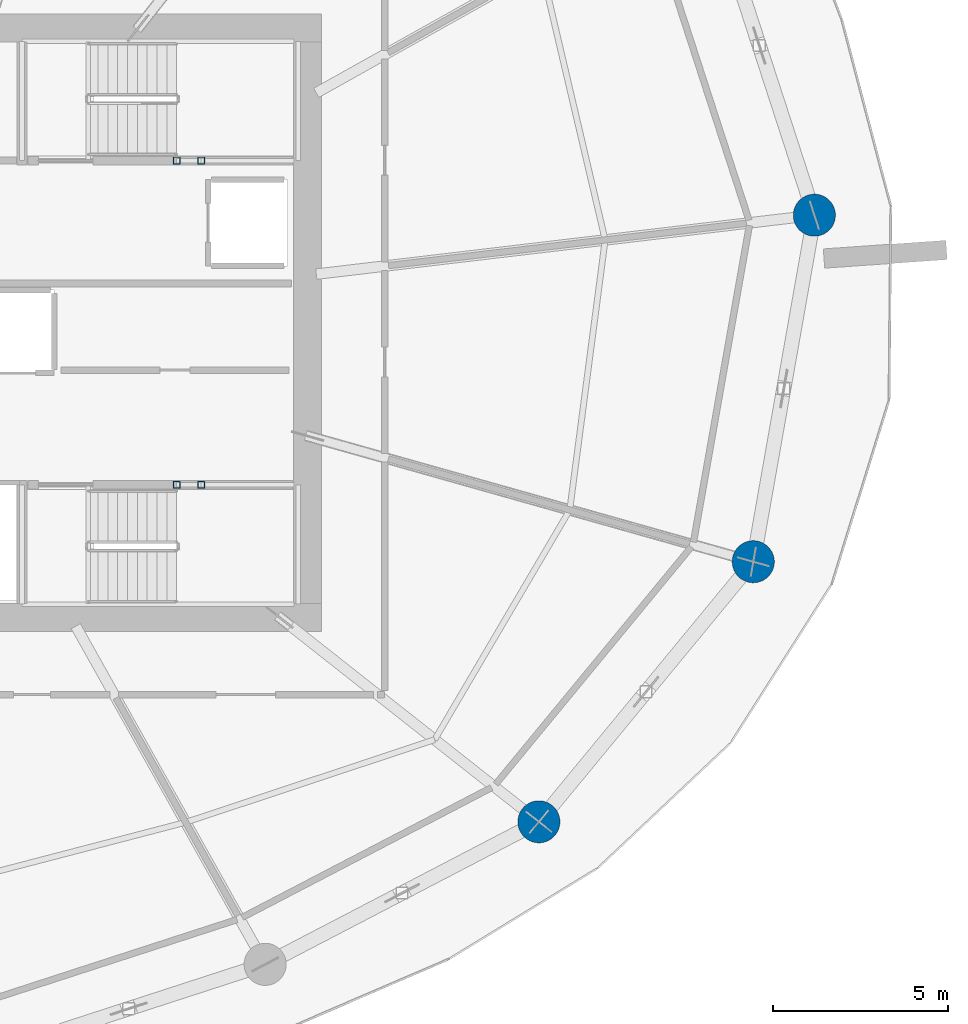
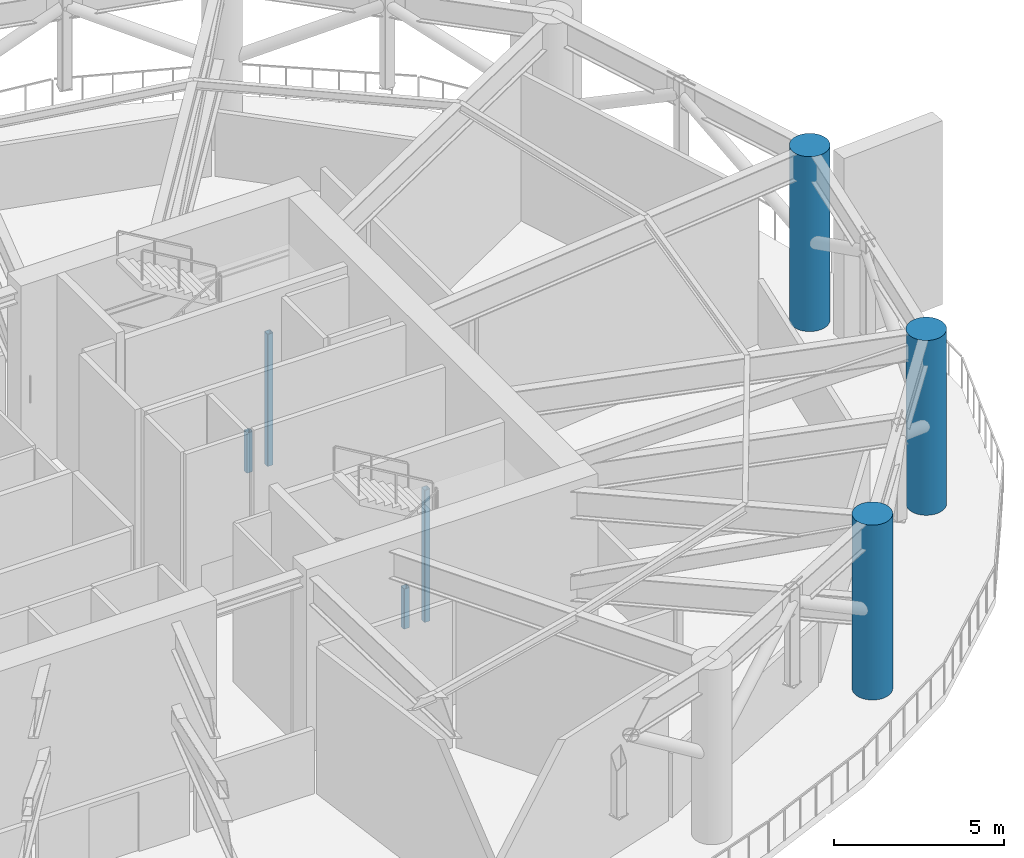
# One storey, part 3 of 19: 7 columns.
"""IFC4 building model written with IfcOpenShell, lengths in metres."""

from ifc_helpers import new_model, si_unit, direction, frame, origin, origin_2d, place, context, subcontext, project, spatial, hollow_rectangle, circle, extrude, material, material_profile, profile_set, type_object, element, save


model = new_model("IFC4")

# Units and contexts
model_context = context("Model", 3, precision=1e-05, world=origin(), true_north=direction((0.0, 1.0)))
body_context = subcontext(model_context, "Body", "Model", "MODEL_VIEW")
ifc_project = project(units=[si_unit("LENGTHUNIT", "METRE"), si_unit("AREAUNIT", "SQUARE_METRE"), si_unit("VOLUMEUNIT", "CUBIC_METRE"), si_unit("PLANEANGLEUNIT", "RADIAN"), si_unit("MASSUNIT", "GRAM", prefix="KILO")], contexts=[model_context])

# Site, building, storey
site_placement = place(None, origin())
site = spatial("IfcSite", under=ifc_project, at=site_placement, CompositionType="ELEMENT")
building_placement = place(site_placement, origin())
building = spatial("IfcBuilding", under=site, at=building_placement, Name="Kazma Halo Residences", CompositionType="ELEMENT")
storey_placement = place(building_placement, frame((0.0, 0.0, 116.39990234375)))
storey = spatial("IfcBuildingStorey", under=building, at=storey_placement, Name="L29", CompositionType="ELEMENT", Elevation=116.39990234375)

# Columns
ifc_material_1 = material(Name="Steel S355", Category="steel")
ifc_material_profile_1 = material_profile(ifc_material_1, hollow_rectangle(XDim=0.199951171875, YDim=0.199951171875, WallThickness=0.010009765625, InnerFilletRadius=0.010009765625, OuterFilletRadius=0.02001953125, at=origin_2d()), Name="SHS200x200x10")
ifc_profile_set_1 = profile_set([ifc_material_profile_1], Name="Steel S355")
column_type_1 = type_object("IfcColumnType", Name="COL-LP-SHS200", PredefinedType="COLUMN", material=ifc_profile_set_1)
column_1_placement = place(storey_placement, frame((55.719970703125, 46.6201171875, 0.0), z_axis=(0.0, 0.0, 1.0), x_axis=(1.0, 0.0, 0.0)))
element("IfcColumn", 1, at=column_1_placement, inside=storey, type_object=column_type_1, Name="L29 ST-02 landing pilaster 1", PredefinedType="COLUMN", context=body_context, shape_type="SweptSolid", body=[
    extrude(hollow_rectangle(XDim=0.199951171875, YDim=0.199951171875, WallThickness=0.010009765625, InnerFilletRadius=0.010009765625, OuterFilletRadius=0.02001953125, at=origin_2d()), origin(), (0.0, 0.0, 1.0), 1.445068359375),
])
column_2_placement = place(storey_placement, frame((56.419921875, 46.6201171875, 0.0), z_axis=(0.0, 0.0, 1.0), x_axis=(1.0, 0.0, 0.0)))
element("IfcColumn", 2, at=column_2_placement, inside=storey, type_object=column_type_1, Name="L29 ST-02 landing pilaster 3", PredefinedType="COLUMN", context=body_context, shape_type="SweptSolid", body=[
    extrude(hollow_rectangle(XDim=0.199951171875, YDim=0.199951171875, WallThickness=0.010009765625, InnerFilletRadius=0.010009765625, OuterFilletRadius=0.02001953125, at=origin_2d()), origin(), (0.0, 0.0, 1.0), 4.7451171875),
])
column_3_placement = place(storey_placement, frame((55.719970703125, 37.3798828125, 0.0), z_axis=(0.0, 0.0, 1.0), x_axis=(1.0, 0.0, 0.0)))
element("IfcColumn", 3, at=column_3_placement, inside=storey, type_object=column_type_1, Name="L29 ST-03 landing pilaster 1", PredefinedType="COLUMN", context=body_context, shape_type="SweptSolid", body=[
    extrude(hollow_rectangle(XDim=0.199951171875, YDim=0.199951171875, WallThickness=0.010009765625, InnerFilletRadius=0.010009765625, OuterFilletRadius=0.02001953125, at=origin_2d()), origin(), (0.0, 0.0, 1.0), 1.445068359375),
])
column_4_placement = place(storey_placement, frame((56.419921875, 37.3798828125, 0.0), z_axis=(0.0, 0.0, 1.0), x_axis=(1.0, 0.0, 0.0)))
element("IfcColumn", 4, at=column_4_placement, inside=storey, type_object=column_type_1, Name="L29 ST-03 landing pilaster 3", PredefinedType="COLUMN", context=body_context, shape_type="SweptSolid", body=[
    extrude(hollow_rectangle(XDim=0.199951171875, YDim=0.199951171875, WallThickness=0.010009765625, InnerFilletRadius=0.010009765625, OuterFilletRadius=0.02001953125, at=origin_2d()), origin(), (0.0, 0.0, 1.0), 4.7451171875),
])
ifc_material_2 = material(Name="Concrete C80/95", Category="concrete")
ifc_material_profile_2 = material_profile(ifc_material_2, circle(Radius=0.60009765625, at=origin_2d()), Name="CIRC1200")
ifc_profile_set_2 = profile_set([ifc_material_profile_2], Name="Concrete C80/95")
column_type_2 = type_object("IfcColumnType", Name="COL-PERIM-1200", PredefinedType="COLUMN", material=ifc_profile_set_2)
for number, where, z_axis, x_axis, name in (
    (5, (66.04541015625, 27.774169921875, 0.0), (0.0, 0.0, 1.0), (1.0, 0.0, 0.0), "L29 perimeter ring column P14"),
    (6, (72.155517578125, 35.1875, 0.0), (0.0, 0.0, 1.0), (1.0, 0.0, 0.0), "L29 perimeter ring column P15"),
    (7, (73.897216796875, 45.065185546875, 0.0), (0.0, 0.0, 1.0), (1.0, 0.0, 0.0), "L29 perimeter ring column P16"),
):
    element("IfcColumn", number, at=place(storey_placement, frame(where, z_axis=z_axis, x_axis=x_axis)), inside=storey, type_object=column_type_2, Name=name, PredefinedType="COLUMN", context=body_context, shape_type="SweptSolid", body=[
        extrude(circle(Radius=0.60009765625, at=origin_2d()), origin(), (0.0, 0.0, 1.0), 6.280029296875),
    ])

save(model, "model.ifc")
